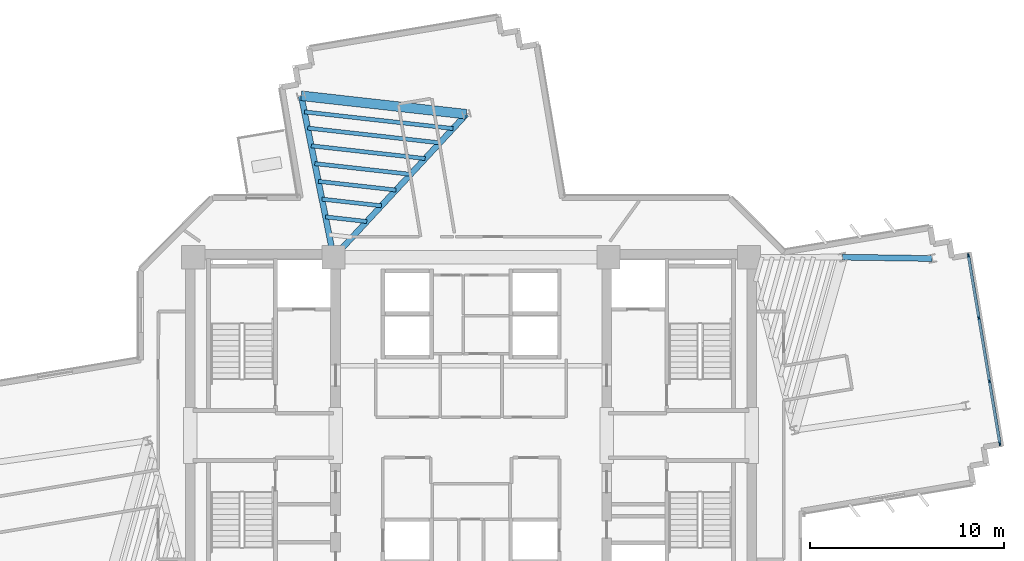
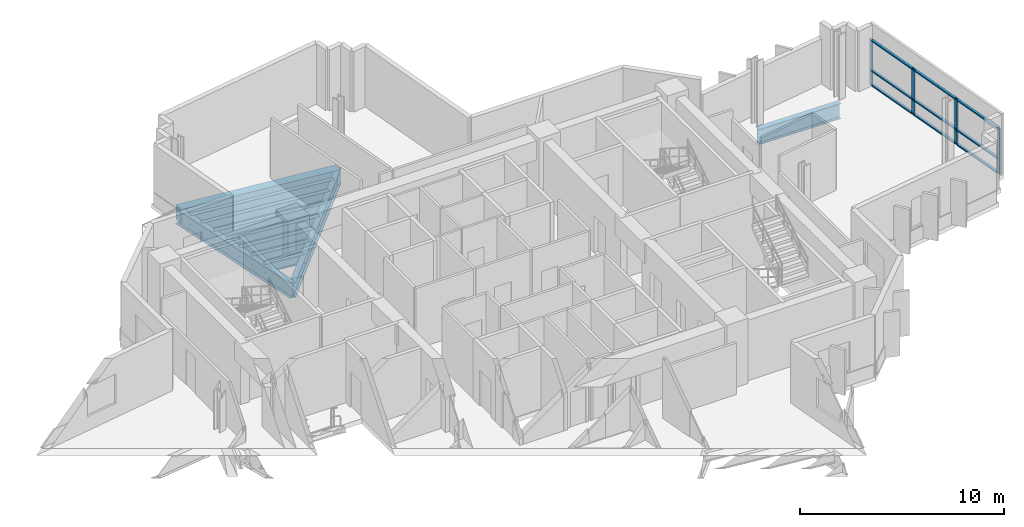
# One storey, part 5 of 15: 13 members, 11 beams, 1 element without a shape of its own.
"""IFC4 building model written with IfcOpenShell, lengths in metres."""

import ifcopenshell
import ifcopenshell.guid

model = None  # the IFC model being written
_history = None  # IfcOwnerHistory: only IFC2X3 demands one
_inside = {}  # id of a spatial element -> (the spatial element, [elements in it])
_under = {}  # id of a project, library or spatial element -> (it, [spatial elements below it])
_declared = {}  # id of a project -> (the project, [libraries it declares])
_typed = {}  # id of a type object -> (the type object, [elements of that type])
_made_of = {}  # id of a material, layer set ... -> (it, [elements and type objects made of it])


def new_model(schema):
    """Start an empty IFC model of exactly this schema.

    Asked for "IFC4X3", IfcOpenShell would pick the latest addendum, in which some entities
    have other attributes; the version numbers below select the first issue.
    IFC2X3 requires an IfcOwnerHistory on every rooted entity: one is made here for all.
    """
    global model, _history
    if schema == "IFC4X3":
        model = ifcopenshell.file(schema_version=(4, 3, 0, 0))
    else:
        model = ifcopenshell.file(schema=schema)
    _inside.clear()
    _under.clear()
    _declared.clear()
    _typed.clear()
    _made_of.clear()
    _history = None
    if model.schema == "IFC2X3":
        org = make("IfcOrganization", Name="unknown")
        user = make(
            "IfcPersonAndOrganization",
            ThePerson=make("IfcPerson", FamilyName="unknown"),
            TheOrganization=org,
        )
        app = make(
            "IfcApplication",
            ApplicationDeveloper=org,
            Version="unknown",
            ApplicationFullName="unknown",
            ApplicationIdentifier="unknown",
        )
        _history = make(
            "IfcOwnerHistory",
            OwningUser=user,
            OwningApplication=app,
            ChangeAction="ADDED",
            CreationDate=0,
        )
    return model


def make(cls, **values):
    """One entity of the class cls with the attributes given. An attribute that is None is left unset."""
    return model.create_entity(
        cls, **{name: value for name, value in values.items() if value is not None}
    )


def rooted(cls, **values):
    """An entity with a GlobalId (a new one), such as an element, a storey or a relation."""
    return make(cls, GlobalId=ifcopenshell.guid.new(), OwnerHistory=_history, **values)


def si_unit(unit_type, name, prefix=None):
    """IfcSIUnit, for example si_unit("LENGTHUNIT", "METRE", prefix="MILLI")."""
    return make("IfcSIUnit", UnitType=unit_type, Prefix=prefix, Name=name)


def assignment(units):
    """IfcUnitAssignment: the units of a project."""
    return None if units is None else make("IfcUnitAssignment", Units=units)


def point(xyz):
    """IfcCartesianPoint."""
    return None if xyz is None else make("IfcCartesianPoint", Coordinates=xyz)


def direction(xyz):
    """IfcDirection."""
    return None if xyz is None else make("IfcDirection", DirectionRatios=xyz)


def frame(location, z_axis=None, x_axis=None):
    """IfcAxis2Placement3D, a coordinate frame: its origin and axes. An axis left out is left unset."""
    return make(
        "IfcAxis2Placement3D",
        Location=point(location),
        Axis=direction(z_axis),
        RefDirection=direction(x_axis),
    )


def frame_2d(location, x_axis=None):
    """IfcAxis2Placement2D, a coordinate frame in the plane: its origin and x axis."""
    return make(
        "IfcAxis2Placement2D", Location=point(location), RefDirection=direction(x_axis)
    )


def origin():
    """The frame at (0, 0, 0) with its axes left unset."""
    return frame((0.0, 0.0, 0.0))


def origin_2d():
    """The frame at (0, 0) in the plane with its x axis left unset."""
    return frame_2d((0.0, 0.0))


def place(relative_to, where):
    """IfcLocalPlacement: puts the frame where relative to a parent placement (None: the world)."""
    return make(
        "IfcLocalPlacement", PlacementRelTo=relative_to, RelativePlacement=where
    )


def context(
    kind, dimensions, precision=None, world=None, true_north=None, identifier=None
):
    """IfcGeometricRepresentationContext, for example the 3D "Model" context."""
    return make(
        "IfcGeometricRepresentationContext",
        ContextIdentifier=identifier,
        ContextType=kind,
        CoordinateSpaceDimension=dimensions,
        Precision=precision,
        WorldCoordinateSystem=world,
        TrueNorth=true_north,
    )


def subcontext(parent, identifier, kind, view, scale=None):
    """IfcGeometricRepresentationSubContext, for example "Body" below "Model"."""
    return make(
        "IfcGeometricRepresentationSubContext",
        ContextIdentifier=identifier,
        ContextType=kind,
        ParentContext=parent,
        TargetScale=scale,
        TargetView=view,
    )


def project(units=None, contexts=None):
    """IfcProject with its units and contexts."""
    return rooted(
        "IfcProject",
        Name="project",
        RepresentationContexts=contexts,
        UnitsInContext=assignment(units),
    )


def spatial(cls, under=None, at=None, **own):
    """A site, building, storey or space (cls), placed at a placement, below another one or the project."""
    s = rooted(cls, ObjectPlacement=at, **own)
    if under is not None:
        _under.setdefault(under.id(), (under, []))[1].append(s)
    return s


def profile(cls, at=None, kind="AREA", **sizes):
    """A parametric profile (cls). Its sizes go by their IFC names, for example OverallWidth=200.0."""
    return make(cls, ProfileType=kind, Position=at, **sizes)


def rectangle(**sizes):
    """IfcRectangleProfileDef."""
    return profile("IfcRectangleProfileDef", **sizes)


def i_section(**sizes):
    """IfcIShapeProfileDef."""
    return profile("IfcIShapeProfileDef", **sizes)


def extrude(swept, where, along, depth):
    """IfcExtrudedAreaSolid: the profile swept, set in the frame where, extruded along a direction by depth."""
    return make(
        "IfcExtrudedAreaSolid",
        SweptArea=swept,
        Position=where,
        ExtrudedDirection=direction(along),
        Depth=depth,
    )


def shape(context_of_items, identifier, shape_type, items):
    """IfcShapeRepresentation: the items that make up one representation, for example the "Body"."""
    return make(
        "IfcShapeRepresentation",
        ContextOfItems=context_of_items,
        RepresentationIdentifier=identifier,
        RepresentationType=shape_type,
        Items=items,
    )


def source(mapping_origin, context_of_items, identifier, shape_type, items):
    """IfcRepresentationMap: a shape defined once, which mapped items show again and again."""
    return make(
        "IfcRepresentationMap",
        MappingOrigin=mapping_origin,
        MappedRepresentation=shape(context_of_items, identifier, shape_type, items),
    )


def transform(
    local_origin,
    x_axis=None,
    y_axis=None,
    z_axis=None,
    scale=None,
    scale2=None,
    scale3=None,
    uniform=True,
):
    """IfcCartesianTransformationOperator3D, or its non-uniform kind. x_axis, y_axis, z_axis: its Axis1, 2, 3."""
    if uniform:
        return make(
            "IfcCartesianTransformationOperator3D",
            Axis1=direction(x_axis),
            Axis2=direction(y_axis),
            LocalOrigin=point(local_origin),
            Scale=scale,
            Axis3=direction(z_axis),
        )
    return make(
        "IfcCartesianTransformationOperator3DnonUniform",
        Axis1=direction(x_axis),
        Axis2=direction(y_axis),
        LocalOrigin=point(local_origin),
        Scale=scale,
        Axis3=direction(z_axis),
        Scale2=scale2,
        Scale3=scale3,
    )


def mapped(mapping_source, mapping_target):
    """IfcMappedItem: shows the shape of a source again, moved by a transform."""
    return make(
        "IfcMappedItem", MappingSource=mapping_source, MappingTarget=mapping_target
    )


def material(Name=None, Category=None):
    """IfcMaterial."""
    return make("IfcMaterial", Name=Name, Category=Category)


def layer(
    of_material, thickness, ventilated=None, Name=None, Category=None, Priority=None
):
    """IfcMaterialLayer: one layer of a wall or slab, of a material (None: an air gap)."""
    return make(
        "IfcMaterialLayer",
        Material=of_material,
        LayerThickness=thickness,
        IsVentilated=ventilated,
        Name=Name,
        Category=Category,
        Priority=Priority,
    )


def layer_set(layers, Name=None):
    """IfcMaterialLayerSet."""
    return make("IfcMaterialLayerSet", MaterialLayers=layers, LayerSetName=Name)


def material_profile(
    of_material, cross_section, Name=None, Category=None, Priority=None
):
    """IfcMaterialProfile: a cross section and its material."""
    return make(
        "IfcMaterialProfile",
        Name=Name,
        Material=of_material,
        Profile=cross_section,
        Priority=Priority,
        Category=Category,
    )


def profile_set(profiles, Name=None, composite=None):
    """IfcMaterialProfileSet."""
    return make(
        "IfcMaterialProfileSet",
        Name=Name,
        MaterialProfiles=profiles,
        CompositeProfile=composite,
    )


def made_of(thing, what):
    """Note that an element or type object is made of a material, layer set ...; save() writes the relation."""
    if what is not None:
        _made_of.setdefault(what.id(), (what, []))[1].append(thing)
    return thing


def type_object(cls, material=None, **own):
    """A type object (cls), such as IfcWallType, which elements share."""
    return made_of(rooted(cls, **own), material)


def element(
    cls,
    number,
    at=None,
    inside=None,
    cuts=None,
    type_object=None,
    material=None,
    context=None,
    identifier="Body",
    shape_type=None,
    held_by="IfcProductDefinitionShape",
    body=None,
    shapes=None,
    **own,
):
    """One element of the class cls, such as IfcWall. Its Tag is "e" and its number.

    at: its placement. inside: the storey or other place that contains it. cuts: it is an
    opening in that element (IfcRelVoidsElement). A single representation is given by context,
    identifier, shape_type and body (its items); several are given by shapes. held_by: the class
    of the entity that holds the representations. save() writes the other relations.
    """
    e = rooted(cls, Tag="e%d" % number, ObjectPlacement=at, **own)
    if body is not None:
        shapes = [shape(context, identifier, shape_type, body)]
    if shapes is not None:
        e.Representation = make(held_by, Representations=shapes)
    if inside is not None:
        _inside.setdefault(inside.id(), (inside, []))[1].append(e)
    if cuts is not None:
        rooted(
            "IfcRelVoidsElement", RelatingBuildingElement=cuts, RelatedOpeningElement=e
        )
    if type_object is not None:
        _typed.setdefault(type_object.id(), (type_object, []))[1].append(e)
    return made_of(e, material)


def aggregate(whole, parts):
    """IfcRelAggregates: a whole, such as a stair, and the parts it consists of."""
    return rooted("IfcRelAggregates", RelatingObject=whole, RelatedObjects=parts)


def save(model, path):
    """Write the relations noted so far, then the file.

    IfcRelAggregates (storeys below a building ...), IfcRelContainedInSpatialStructure (elements
    in a storey), IfcRelDefinesByType, IfcRelAssociatesMaterial and IfcRelDeclares: one each for
    every whole, place, type object, material and project.
    """
    for whole, parts in _under.values():
        aggregate(whole, parts)
    for where, things in _inside.values():
        rooted(
            "IfcRelContainedInSpatialStructure",
            RelatedElements=things,
            RelatingStructure=where,
        )
    for kind, things in _typed.values():
        rooted("IfcRelDefinesByType", RelatedObjects=things, RelatingType=kind)
    for what, things in _made_of.values():
        rooted("IfcRelAssociatesMaterial", RelatedObjects=things, RelatingMaterial=what)
    for by, libraries in _declared.values():
        rooted("IfcRelDeclares", RelatingContext=by, RelatedDefinitions=libraries)
    model.write(path)


model = new_model("IFC4")

# Units and contexts
model_context = context("Model", 3, precision=1e-05, world=origin(), true_north=direction((0.0, 1.0)))
body_context = subcontext(model_context, "Body", "Model", "MODEL_VIEW")
ifc_project = project(units=[si_unit("LENGTHUNIT", "METRE"), si_unit("AREAUNIT", "SQUARE_METRE"), si_unit("VOLUMEUNIT", "CUBIC_METRE"), si_unit("PLANEANGLEUNIT", "RADIAN"), si_unit("MASSUNIT", "GRAM", prefix="KILO")], contexts=[model_context])

# Site, building, storey
site_placement = place(None, origin())
site = spatial("IfcSite", under=ifc_project, at=site_placement, CompositionType="ELEMENT")
building_placement = place(site_placement, origin())
building = spatial("IfcBuilding", under=site, at=building_placement, Name="Zahravan Cultural Tower", CompositionType="ELEMENT")
storey_placement = place(building_placement, frame((0.0, 0.0, 139.5)))
storey = spatial("IfcBuildingStorey", under=building, at=storey_placement, Name="L31", CompositionType="ELEMENT", Elevation=139.5)

# Beams
ifc_material_1 = material(Name="Steel ASTM A992 Grade 50", Category="steel")
ifc_material_profile_1 = material_profile(ifc_material_1, i_section(OverallWidth=0.304931640625, OverallDepth=0.9189453125, WebThickness=0.017333984375, FlangeThickness=0.02783203125, FilletRadius=0.02392578125, at=origin_2d()), Name="W36X170")
ifc_profile_set_1 = profile_set([ifc_material_profile_1], Name="Steel ASTM A992 Grade 50")
beam_type_1 = type_object("IfcBeamType", Name="BM-G-W36X170", PredefinedType="BEAM", material=ifc_profile_set_1)
shared_shape_1 = source(origin(), body_context, "Body", "SweptSolid", [
    extrude(i_section(OverallWidth=0.304931640625, OverallDepth=0.9189453125, WebThickness=0.017333984375, FlangeThickness=0.02783203125, FilletRadius=0.02392578125, at=origin_2d()), origin(), (0.0, 0.0, 1.0), 10.077880859375),
])
beam_1_placement = place(storey_placement, frame((28.89990234375, 36.199951171875, -0.739501953125), z_axis=(0.680170435587, 0.733054007938, 0.0), x_axis=(-0.733054007938, 0.680170435587, 0.0)))
element("IfcBeam", 1, at=beam_1_placement, inside=storey, type_object=beam_type_1, Name="L31 Beam BG-L31-13", PredefinedType="BEAM", context=body_context, shape_type="MappedRepresentation", body=[
    mapped(shared_shape_1, transform((0.0, 0.0, 0.0), x_axis=(1.0, 0.0, 0.0), y_axis=(0.0, 1.0, 0.0), z_axis=(0.0, 0.0, 1.0), scale=1.0)),
])
shared_shape_2 = source(origin(), body_context, "Body", "SweptSolid", [
    extrude(i_section(OverallWidth=0.304931640625, OverallDepth=0.9189453125, WebThickness=0.017333984375, FlangeThickness=0.02783203125, FilletRadius=0.02392578125, at=origin_2d()), origin(), (0.0, 0.0, 1.0), 8.50732421875),
])
beam_2_placement = place(storey_placement, frame((28.89990234375, 36.199951171875, -0.739501953125), z_axis=(-0.196524514012, 0.980498911469, 0.0), x_axis=(-0.980498911469, -0.196524514012, 0.0)))
element("IfcBeam", 2, at=beam_2_placement, inside=storey, type_object=beam_type_1, Name="L31 Beam BG-L31-14", PredefinedType="BEAM", context=body_context, shape_type="MappedRepresentation", body=[
    mapped(shared_shape_2, transform((0.0, 0.0, 0.0), x_axis=(1.0, 0.0, 0.0), y_axis=(0.0, 1.0, 0.0), z_axis=(0.0, 0.0, 1.0), scale=1.0)),
])
shared_shape_3 = source(origin(), body_context, "Body", "SweptSolid", [
    extrude(i_section(OverallWidth=0.304931640625, OverallDepth=0.9189453125, WebThickness=0.017333984375, FlangeThickness=0.02783203125, FilletRadius=0.02392578125, at=origin_2d()), origin(), (0.0, 0.0, 1.0), 4.622314453125),
])
beam_3_placement = place(storey_placement, frame((55.184814453125, 36.2060546875, -0.739501953125), z_axis=(0.999889070044, -0.014894549562, 0.0), x_axis=(0.014894549562, 0.999889070044, 0.0)))
element("IfcBeam", 3, at=beam_3_placement, inside=storey, type_object=beam_type_1, Name="L31 Beam BG-L31-16", PredefinedType="BEAM", context=body_context, shape_type="MappedRepresentation", body=[
    mapped(shared_shape_3, transform((0.0, 0.0, 0.0), x_axis=(1.0, 0.0, 0.0), y_axis=(0.0, 1.0, 0.0), z_axis=(0.0, 0.0, 1.0), scale=1.0)),
])
ifc_material_2 = material(Name="Concrete C50/60", Category="concrete")
ifc_material_profile_2 = material_profile(ifc_material_2, rectangle(XDim=0.5, YDim=0.85009765625, at=origin_2d()), Name="RC500X850")
ifc_profile_set_2 = profile_set([ifc_material_profile_2], Name="Concrete C50/60")
beam_type_2 = type_object("IfcBeamType", Name="BM-SP-RC500X850", PredefinedType="SPANDREL", material=ifc_profile_set_2)
shared_shape_4 = source(origin(), body_context, "Body", "SweptSolid", [
    extrude(rectangle(XDim=0.5, YDim=0.85009765625, at=origin_2d()), origin(), (0.0, 0.0, 1.0), 8.579833984375),
])
beam_4_placement = place(storey_placement, frame((35.754638671875, 43.587646484375, -0.705078125), z_axis=(-0.9938040105, 0.11114669907, 0.0), x_axis=(-0.11114669907, -0.9938040105, 0.0)))
element("IfcBeam", 4, at=beam_4_placement, inside=storey, type_object=beam_type_2, Name="L31 Beam SP-L31-22", PredefinedType="SPANDREL", context=body_context, shape_type="MappedRepresentation", body=[
    mapped(shared_shape_4, transform((0.0, 0.0, 0.0), x_axis=(1.0, 0.0, 0.0), y_axis=(0.0, 1.0, 0.0), z_axis=(0.0, 0.0, 1.0), scale=1.0)),
])
ifc_material_profile_3 = material_profile(ifc_material_1, i_section(OverallWidth=0.2099609375, OverallDepth=0.532958984375, WebThickness=0.01025390625, FlangeThickness=0.015625, FilletRadius=0.013916015625, at=origin_2d()), Name="W21X62")
ifc_profile_set_3 = profile_set([ifc_material_profile_3], Name="Steel ASTM A992 Grade 50")
beam_type_3 = type_object("IfcBeamType", Name="BM-J-W21X62", PredefinedType="JOIST", material=ifc_profile_set_3)
shared_shape_5 = source(origin(), body_context, "Body", "SweptSolid", [
    extrude(i_section(OverallWidth=0.2099609375, OverallDepth=0.532958984375, WebThickness=0.01025390625, FlangeThickness=0.015625, FilletRadius=0.013916015625, at=origin_2d()), origin(), (0.0, 0.0, 1.0), 2.144775390625),
])
beam_5_placement = place(storey_placement, frame((30.613525390625, 38.046875, -0.54638671875), z_axis=(-0.993797370806, 0.111206051, 0.0), x_axis=(-0.111206051, -0.993797370806, 0.0)))
element("IfcBeam", 5, at=beam_5_placement, inside=storey, type_object=beam_type_3, Name="L31 Beam BJ-L31-49", PredefinedType="JOIST", context=body_context, shape_type="MappedRepresentation", body=[
    mapped(shared_shape_5, transform((0.0, 0.0, 0.0), x_axis=(1.0, 0.0, 0.0), y_axis=(0.0, 1.0, 0.0), z_axis=(0.0, 0.0, 1.0), scale=1.0)),
])
shared_shape_6 = source(origin(), body_context, "Body", "SweptSolid", [
    extrude(i_section(OverallWidth=0.2099609375, OverallDepth=0.532958984375, WebThickness=0.01025390625, FlangeThickness=0.015625, FilletRadius=0.013916015625, at=origin_2d()), origin(), (0.0, 0.0, 1.0), 3.088623046875),
])
beam_6_placement = place(storey_placement, frame((31.36767578125, 38.859619140625, -0.54638671875), z_axis=(-0.993805407368, 0.111134208443, 0.0), x_axis=(-0.111134208443, -0.993805407368, 0.0)))
element("IfcBeam", 6, at=beam_6_placement, inside=storey, type_object=beam_type_3, Name="L31 Beam BJ-L31-50", PredefinedType="JOIST", context=body_context, shape_type="MappedRepresentation", body=[
    mapped(shared_shape_6, transform((0.0, 0.0, 0.0), x_axis=(1.0, 0.0, 0.0), y_axis=(0.0, 1.0, 0.0), z_axis=(0.0, 0.0, 1.0), scale=1.0)),
])
shared_shape_7 = source(origin(), body_context, "Body", "SweptSolid", [
    extrude(i_section(OverallWidth=0.2099609375, OverallDepth=0.532958984375, WebThickness=0.01025390625, FlangeThickness=0.015625, FilletRadius=0.013916015625, at=origin_2d()), origin(), (0.0, 0.0, 1.0), 4.0322265625),
])
beam_7_placement = place(storey_placement, frame((32.12158203125, 39.672119140625, -0.54638671875), z_axis=(-0.993802245601, 0.11116247855, 0.0), x_axis=(-0.11116247855, -0.993802245601, 0.0)))
element("IfcBeam", 7, at=beam_7_placement, inside=storey, type_object=beam_type_3, Name="L31 Beam BJ-L31-51", PredefinedType="JOIST", context=body_context, shape_type="MappedRepresentation", body=[
    mapped(shared_shape_7, transform((0.0, 0.0, 0.0), x_axis=(1.0, 0.0, 0.0), y_axis=(0.0, 1.0, 0.0), z_axis=(0.0, 0.0, 1.0), scale=1.0)),
])
shared_shape_8 = source(origin(), body_context, "Body", "SweptSolid", [
    extrude(i_section(OverallWidth=0.2099609375, OverallDepth=0.532958984375, WebThickness=0.01025390625, FlangeThickness=0.015625, FilletRadius=0.013916015625, at=origin_2d()), origin(), (0.0, 0.0, 1.0), 4.97607421875),
])
beam_8_placement = place(storey_placement, frame((32.875732421875, 40.48486328125, -0.54638671875), z_axis=(-0.993806308517, 0.111126149723, 0.0), x_axis=(-0.111126149723, -0.993806308517, 0.0)))
element("IfcBeam", 8, at=beam_8_placement, inside=storey, type_object=beam_type_3, Name="L31 Beam BJ-L31-52", PredefinedType="JOIST", context=body_context, shape_type="MappedRepresentation", body=[
    mapped(shared_shape_8, transform((0.0, 0.0, 0.0), x_axis=(1.0, 0.0, 0.0), y_axis=(0.0, 1.0, 0.0), z_axis=(0.0, 0.0, 1.0), scale=1.0)),
])
shared_shape_9 = source(origin(), body_context, "Body", "SweptSolid", [
    extrude(i_section(OverallWidth=0.2099609375, OverallDepth=0.532958984375, WebThickness=0.01025390625, FlangeThickness=0.015625, FilletRadius=0.013916015625, at=origin_2d()), origin(), (0.0, 0.0, 1.0), 5.919921875),
])
beam_9_placement = place(storey_placement, frame((33.629638671875, 41.29736328125, -0.54638671875), z_axis=(-0.993804520866, 0.111142135602, 0.0), x_axis=(-0.111142135602, -0.993804520866, 0.0)))
element("IfcBeam", 9, at=beam_9_placement, inside=storey, type_object=beam_type_3, Name="L31 Beam BJ-L31-53", PredefinedType="JOIST", context=body_context, shape_type="MappedRepresentation", body=[
    mapped(shared_shape_9, transform((0.0, 0.0, 0.0), x_axis=(1.0, 0.0, 0.0), y_axis=(0.0, 1.0, 0.0), z_axis=(0.0, 0.0, 1.0), scale=1.0)),
])
shared_shape_10 = source(origin(), body_context, "Body", "SweptSolid", [
    extrude(i_section(OverallWidth=0.2099609375, OverallDepth=0.532958984375, WebThickness=0.01025390625, FlangeThickness=0.015625, FilletRadius=0.013916015625, at=origin_2d()), origin(), (0.0, 0.0, 1.0), 6.86376953125),
])
beam_10_placement = place(storey_placement, frame((34.3837890625, 42.110107421875, -0.54638671875), z_axis=(-0.993803224695, 0.111153725024, 0.0), x_axis=(-0.111153725024, -0.993803224695, 0.0)))
element("IfcBeam", 10, at=beam_10_placement, inside=storey, type_object=beam_type_3, Name="L31 Beam BJ-L31-54", PredefinedType="JOIST", context=body_context, shape_type="MappedRepresentation", body=[
    mapped(shared_shape_10, transform((0.0, 0.0, 0.0), x_axis=(1.0, 0.0, 0.0), y_axis=(0.0, 1.0, 0.0), z_axis=(0.0, 0.0, 1.0), scale=1.0)),
])
shared_shape_11 = source(origin(), body_context, "Body", "SweptSolid", [
    extrude(i_section(OverallWidth=0.2099609375, OverallDepth=0.532958984375, WebThickness=0.01025390625, FlangeThickness=0.015625, FilletRadius=0.013916015625, at=origin_2d()), origin(), (0.0, 0.0, 1.0), 7.7216796875),
])
beam_11_placement = place(storey_placement, frame((35.069091796875, 42.848876953125, -0.54638671875), z_axis=(-0.993805212115, 0.11113595446, 0.0), x_axis=(-0.11113595446, -0.993805212115, 0.0)))
element("IfcBeam", 11, at=beam_11_placement, inside=storey, type_object=beam_type_3, Name="L31 Beam BJ-L31-55", PredefinedType="JOIST", context=body_context, shape_type="MappedRepresentation", body=[
    mapped(shared_shape_11, transform((0.0, 0.0, 0.0), x_axis=(1.0, 0.0, 0.0), y_axis=(0.0, 1.0, 0.0), z_axis=(0.0, 0.0, 1.0), scale=1.0)),
])

# Curtain wall, members
ifc_material_3 = material(Name="Anodised bronze-aluminium mullion", Category="aluminium")
ifc_layer = layer(ifc_material_3, 0.199951171875)
ifc_layer_set = layer_set([ifc_layer], Name="Anodised bronze-aluminium mullion")
curtain_wall_type = type_object("IfcCurtainWallType", Name="CW-SYS-2", PredefinedType="USERDEFINED", material=ifc_layer_set)
curtain_wall_placement = place(storey_placement, origin())
curtain_wall = element("IfcCurtainWall", 12, at=curtain_wall_placement, inside=storey, type_object=curtain_wall_type, Name="L31 Recessed Curtain Wall CW-2.1", ObjectType="RECESSED GLAZING", PredefinedType="USERDEFINED")
ifc_material_profile_4 = material_profile(ifc_material_3, rectangle(XDim=0.14990234375, YDim=0.074951171875, at=origin_2d()), Name="AL-T75X150")
ifc_profile_set_4 = profile_set([ifc_material_profile_4], Name="Anodised bronze-aluminium mullion")
member_type_1 = type_object("IfcMemberType", Name="CWT-CW-2", PredefinedType="USERDEFINED", material=ifc_profile_set_4)
shared_shape_12 = source(origin(), body_context, "Body", "SweptSolid", [
    extrude(rectangle(XDim=0.14990234375, YDim=0.074951171875, at=origin_2d()), origin(), (0.0, 0.0, 1.0), 3.1943359375),
])
member_1_placement = place(storey_placement, frame((61.685302734375, 36.251220703125, 0.03759765625), z_axis=(0.165093031422, -0.98627799883, 0.0), x_axis=(0.98627799883, 0.165093031422, 0.0)))
member_1 = element("IfcMember", 13, at=member_1_placement, type_object=member_type_1, Name="CW-2 transom 1.1", ObjectType="TRANSOM", PredefinedType="USERDEFINED", context=body_context, shape_type="MappedRepresentation", body=[
    mapped(shared_shape_12, transform((0.0, 0.0, 0.0), x_axis=(1.0, 0.0, 0.0), y_axis=(0.0, 1.0, 0.0), z_axis=(0.0, 0.0, 1.0), scale=1.0)),
])
member_2_placement = place(storey_placement, frame((61.685302734375, 36.251220703125, 0.89990234375), z_axis=(0.165093031422, -0.98627799883, 0.0), x_axis=(0.98627799883, 0.165093031422, 0.0)))
member_2 = element("IfcMember", 14, at=member_2_placement, type_object=member_type_1, Name="CW-2 transom 1.2", ObjectType="TRANSOM", PredefinedType="USERDEFINED", context=body_context, shape_type="MappedRepresentation", body=[
    mapped(shared_shape_12, transform((0.0, 0.0, 0.0), x_axis=(1.0, 0.0, 0.0), y_axis=(0.0, 1.0, 0.0), z_axis=(0.0, 0.0, 1.0), scale=1.0)),
])
member_3_placement = place(storey_placement, frame((61.685302734375, 36.251220703125, 2.702392578125), z_axis=(0.165093031422, -0.98627799883, 0.0), x_axis=(0.98627799883, 0.165093031422, 0.0)))
member_3 = element("IfcMember", 15, at=member_3_placement, type_object=member_type_1, Name="CW-2 transom 1.3", ObjectType="TRANSOM", PredefinedType="USERDEFINED", context=body_context, shape_type="MappedRepresentation", body=[
    mapped(shared_shape_12, transform((0.0, 0.0, 0.0), x_axis=(1.0, 0.0, 0.0), y_axis=(0.0, 1.0, 0.0), z_axis=(0.0, 0.0, 1.0), scale=1.0)),
])
shared_shape_13 = source(origin(), body_context, "Body", "SweptSolid", [
    extrude(rectangle(XDim=0.14990234375, YDim=0.074951171875, at=origin_2d()), origin(), (0.0, 0.0, 1.0), 3.231689453125),
])
member_4_placement = place(storey_placement, frame((62.224853515625, 33.02685546875, 0.03759765625), z_axis=(0.165072756974, -0.986281392355, 0.0), x_axis=(0.986281392355, 0.165072756974, 0.0)))
member_4 = element("IfcMember", 16, at=member_4_placement, type_object=member_type_1, Name="CW-2 transom 2.1", ObjectType="TRANSOM", PredefinedType="USERDEFINED", context=body_context, shape_type="MappedRepresentation", body=[
    mapped(shared_shape_13, transform((0.0, 0.0, 0.0), x_axis=(1.0, 0.0, 0.0), y_axis=(0.0, 1.0, 0.0), z_axis=(0.0, 0.0, 1.0), scale=1.0)),
])
member_5_placement = place(storey_placement, frame((62.224853515625, 33.02685546875, 0.89990234375), z_axis=(0.165072756974, -0.986281392355, 0.0), x_axis=(0.986281392355, 0.165072756974, 0.0)))
member_5 = element("IfcMember", 17, at=member_5_placement, type_object=member_type_1, Name="CW-2 transom 2.2", ObjectType="TRANSOM", PredefinedType="USERDEFINED", context=body_context, shape_type="MappedRepresentation", body=[
    mapped(shared_shape_13, transform((0.0, 0.0, 0.0), x_axis=(1.0, 0.0, 0.0), y_axis=(0.0, 1.0, 0.0), z_axis=(0.0, 0.0, 1.0), scale=1.0)),
])
member_6_placement = place(storey_placement, frame((62.224853515625, 33.02685546875, 2.702392578125), z_axis=(0.165072756974, -0.986281392355, 0.0), x_axis=(0.986281392355, 0.165072756974, 0.0)))
member_6 = element("IfcMember", 18, at=member_6_placement, type_object=member_type_1, Name="CW-2 transom 2.3", ObjectType="TRANSOM", PredefinedType="USERDEFINED", context=body_context, shape_type="MappedRepresentation", body=[
    mapped(shared_shape_13, transform((0.0, 0.0, 0.0), x_axis=(1.0, 0.0, 0.0), y_axis=(0.0, 1.0, 0.0), z_axis=(0.0, 0.0, 1.0), scale=1.0)),
])
ifc_material_profile_5 = material_profile(ifc_material_3, rectangle(XDim=0.074951171875, YDim=0.199951171875, at=origin_2d()), Name="AL-M75X200")
ifc_profile_set_5 = profile_set([ifc_material_profile_5], Name="Anodised bronze-aluminium mullion")
member_type_2 = type_object("IfcMemberType", Name="CWM-CW-2", PredefinedType="MULLION", material=ifc_profile_set_5)
shared_shape_14 = source(origin(), body_context, "Body", "SweptSolid", [
    extrude(rectangle(XDim=0.074951171875, YDim=0.199951171875, at=origin_2d()), origin(), (0.0, 0.0, 1.0), 2.739990234375),
])
member_7_placement = place(storey_placement, frame((61.67919921875, 36.2880859375, 0.0), z_axis=(0.0, 0.0, 1.0), x_axis=(0.986285000163, 0.165051199491, 0.0)))
member_7 = element("IfcMember", 19, at=member_7_placement, type_object=member_type_2, Name="CW-2 mullion 1", PredefinedType="MULLION", context=body_context, shape_type="MappedRepresentation", body=[
    mapped(shared_shape_14, transform((0.0, 0.0, 0.0), x_axis=(1.0, 0.0, 0.0), y_axis=(0.0, 1.0, 0.0), z_axis=(0.0, 0.0, 1.0), scale=1.0)),
])
member_8_placement = place(storey_placement, frame((62.21875, 33.063720703125, 0.0), z_axis=(0.0, 0.0, 1.0), x_axis=(0.986285000163, 0.165051199491, 0.0)))
member_8 = element("IfcMember", 20, at=member_8_placement, type_object=member_type_2, Name="CW-2 mullion 2", PredefinedType="MULLION", context=body_context, shape_type="MappedRepresentation", body=[
    mapped(shared_shape_14, transform((0.0, 0.0, 0.0), x_axis=(1.0, 0.0, 0.0), y_axis=(0.0, 1.0, 0.0), z_axis=(0.0, 0.0, 1.0), scale=1.0)),
])
member_9_placement = place(storey_placement, frame((62.7646484375, 29.802490234375, 0.0), z_axis=(0.0, 0.0, 1.0), x_axis=(0.986285000163, 0.165051199491, 0.0)))
member_9 = element("IfcMember", 21, at=member_9_placement, type_object=member_type_2, Name="CW-2 mullion 3", PredefinedType="MULLION", context=body_context, shape_type="MappedRepresentation", body=[
    mapped(shared_shape_14, transform((0.0, 0.0, 0.0), x_axis=(1.0, 0.0, 0.0), y_axis=(0.0, 1.0, 0.0), z_axis=(0.0, 0.0, 1.0), scale=1.0)),
])
member_10_placement = place(storey_placement, frame((63.30419921875, 26.578125, 0.0), z_axis=(0.0, 0.0, 1.0), x_axis=(0.986285000163, 0.165051199491, 0.0)))
member_10 = element("IfcMember", 22, at=member_10_placement, type_object=member_type_2, Name="CW-2 mullion 4", PredefinedType="MULLION", context=body_context, shape_type="MappedRepresentation", body=[
    mapped(shared_shape_14, transform((0.0, 0.0, 0.0), x_axis=(1.0, 0.0, 0.0), y_axis=(0.0, 1.0, 0.0), z_axis=(0.0, 0.0, 1.0), scale=1.0)),
])
shared_shape_15 = source(origin(), body_context, "Body", "SweptSolid", [
    extrude(rectangle(XDim=0.14990234375, YDim=0.074951171875, at=origin_2d()), origin(), (0.0, 0.0, 1.0), 3.194091796875),
])
member_11_placement = place(storey_placement, frame((62.770751953125, 29.765625, 0.03759765625), z_axis=(0.165018681263, -0.986290441419, 0.0), x_axis=(0.986290441419, 0.165018681263, 0.0)))
member_11 = element("IfcMember", 23, at=member_11_placement, type_object=member_type_1, Name="CW-2 transom 3.1", ObjectType="TRANSOM", PredefinedType="USERDEFINED", context=body_context, shape_type="MappedRepresentation", body=[
    mapped(shared_shape_15, transform((0.0, 0.0, 0.0), x_axis=(1.0, 0.0, 0.0), y_axis=(0.0, 1.0, 0.0), z_axis=(0.0, 0.0, 1.0), scale=1.0)),
])
member_12_placement = place(storey_placement, frame((62.770751953125, 29.765625, 0.89990234375), z_axis=(0.165018681263, -0.986290441419, 0.0), x_axis=(0.986290441419, 0.165018681263, 0.0)))
member_12 = element("IfcMember", 24, at=member_12_placement, type_object=member_type_1, Name="CW-2 transom 3.2", ObjectType="TRANSOM", PredefinedType="USERDEFINED", context=body_context, shape_type="MappedRepresentation", body=[
    mapped(shared_shape_15, transform((0.0, 0.0, 0.0), x_axis=(1.0, 0.0, 0.0), y_axis=(0.0, 1.0, 0.0), z_axis=(0.0, 0.0, 1.0), scale=1.0)),
])
member_13_placement = place(storey_placement, frame((62.770751953125, 29.765625, 2.702392578125), z_axis=(0.165018681263, -0.986290441419, 0.0), x_axis=(0.986290441419, 0.165018681263, 0.0)))
member_13 = element("IfcMember", 25, at=member_13_placement, type_object=member_type_1, Name="CW-2 transom 3.3", ObjectType="TRANSOM", PredefinedType="USERDEFINED", context=body_context, shape_type="MappedRepresentation", body=[
    mapped(shared_shape_15, transform((0.0, 0.0, 0.0), x_axis=(1.0, 0.0, 0.0), y_axis=(0.0, 1.0, 0.0), z_axis=(0.0, 0.0, 1.0), scale=1.0)),
])
aggregate(curtain_wall, [member_7, member_8, member_9, member_10, member_1, member_2, member_3, member_4, member_5, member_6, member_11, member_12, member_13])

save(model, "model.ifc")
